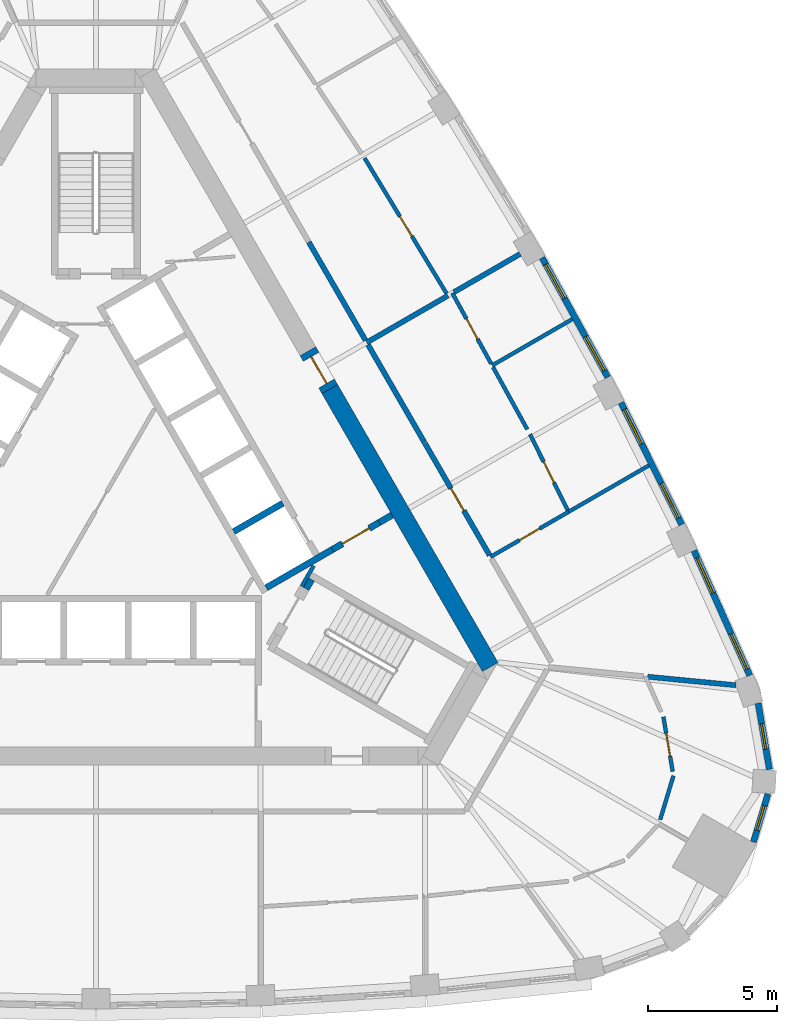
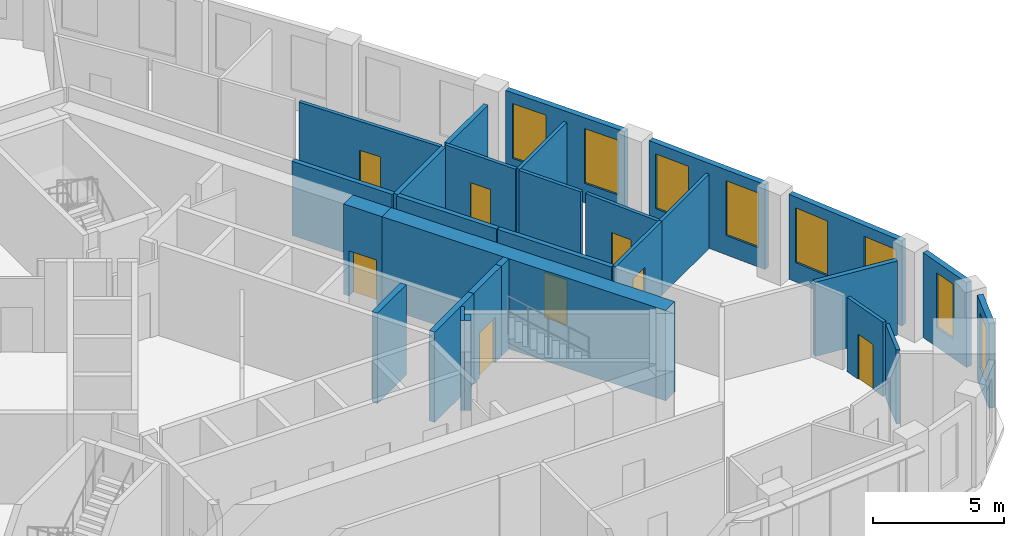
# One storey, part 7 of 10: 28 walls, 8 doors, 8 windows, 16 openings.
"""IFC4 building model written with IfcOpenShell, lengths in metres."""

from ifc_helpers import new_model, si_unit, direction, frame, frame_2d, origin, place, context, subcontext, project, spatial, rectangle, extrude, material, layer, layer_set, type_object, element, fill, save


model = new_model("IFC4")

# Units and contexts
model_context = context("Model", 3, precision=1e-05, world=origin(), true_north=direction((0.0, 1.0)))
body_context = subcontext(model_context, "Body", "Model", "MODEL_VIEW")
ifc_project = project(units=[si_unit("LENGTHUNIT", "METRE"), si_unit("AREAUNIT", "SQUARE_METRE"), si_unit("VOLUMEUNIT", "CUBIC_METRE"), si_unit("PLANEANGLEUNIT", "RADIAN"), si_unit("MASSUNIT", "GRAM", prefix="KILO")], contexts=[model_context])

# Site, building, storey
site_placement = place(None, origin())
site = spatial("IfcSite", under=ifc_project, at=site_placement, CompositionType="ELEMENT")
building_placement = place(site_placement, origin())
building = spatial("IfcBuilding", under=site, at=building_placement, Name="Mestral Congress Tower", CompositionType="ELEMENT")
storey_placement = place(building_placement, frame((0.0, 0.0, 231.0)))
storey = spatial("IfcBuildingStorey", under=building, at=storey_placement, Name="L54", CompositionType="ELEMENT", Elevation=231.0)

# Wall
ifc_material_1 = material(Name="Concrete C60/75", Category="concrete")
ifc_layer_1 = layer(ifc_material_1, 0.699951171875)
ifc_layer_set_1 = layer_set([ifc_layer_1], Name="Concrete C60/75")
wall_type_1 = type_object("IfcWallType", Name="Core wall RC 700", PredefinedType="SOLIDWALL", material=ifc_layer_set_1)
wall_1_placement = place(storey_placement, frame((9.085205078125, 4.263916015625, 0.0), z_axis=(0.0, 0.0, 1.0), x_axis=(0.499998082512, -0.866026510844, 0.0)))
element("IfcWall", 1, at=wall_1_placement, inside=storey, type_object=wall_type_1, Name="L54 core wall", PredefinedType="SOLIDWALL", context=body_context, shape_type="SweptSolid", body=[
    extrude(rectangle(XDim=12.47216796875, YDim=0.699951171875, at=frame_2d((6.236083984375, 0.0))), origin(), (0.0, 0.0, 1.0), 4.199951171875),
])

# Wall, opening, door
wall_2_placement = place(storey_placement, frame((8.2353515625, 5.736083984375, 0.0), z_axis=(0.0, 0.0, 1.0), x_axis=(0.499954529098, -0.86605165483, 0.0)))
wall_2 = element("IfcWall", 2, at=wall_2_placement, inside=storey, type_object=wall_type_1, Name="L54 door wall", PredefinedType="SOLIDWALL", context=body_context, shape_type="SweptSolid", body=[
    extrude(rectangle(XDim=1.699951171875, YDim=0.699951171875, at=frame_2d((0.85009765625, 0.0))), origin(), (0.0, 0.0, 1.0), 4.199951171875),
])
opening_1_placement = place(wall_2_placement, frame((0.25, 0.0, 0.0)))
opening_1 = element("IfcOpeningElement", 3, at=opening_1_placement, cuts=wall_2, Name="Opening XDL", PredefinedType="OPENING", context=body_context, shape_type="SweptSolid", body=[
    extrude(rectangle(XDim=1.199951171875, YDim=2.10009765625, at=frame_2d((0.60009765625, 1.050048828125))), frame((0.0, 0.35986328125, 0.0), z_axis=(0.0, -1.0, 0.0), x_axis=(1.0, 0.0, 0.0)), (0.0, 0.0, 1.0), 0.719970703125),
])
ifc_material_2 = material(Name="Fire-rated steel door set", Category="steel")
door_type_1 = type_object("IfcDoorType", Name="Core door XD 1200x2100", OperationType="SINGLE_SWING_LEFT", PredefinedType="DOOR", material=ifc_material_2)
door_1_placement = place(opening_1_placement, origin())
door_1 = element("IfcDoor", 4, at=door_1_placement, inside=storey, type_object=door_type_1, Name="Door XDL", OperationType="SINGLE_SWING_LEFT", OverallHeight=2.10009765625, OverallWidth=1.199951171875, PredefinedType="DOOR", context=body_context, shape_type="SweptSolid", body=[
    extrude(rectangle(XDim=1.199951171875, YDim=2.10009765625, at=frame_2d((0.60009765625, 1.050048828125))), frame((0.0, 0.02490234375, 0.0), z_axis=(0.0, -1.0, 0.0), x_axis=(1.0, 0.0, 0.0)), (0.0, 0.0, 1.0), 0.050048828125),
])
fill(opening_1, door_1)

# Wall, opening, window
ifc_material_3 = material(Name="Precast concrete C40/50 with limestone facing", Category="masonry")
ifc_layer_2 = layer(ifc_material_3, 0.239990234375)
ifc_layer_set_2 = layer_set([ifc_layer_2], Name="Precast concrete C40/50 with limestone facing")
wall_type_2 = type_object("IfcWallType", Name="Facade stone wall 240", PredefinedType="SOLIDWALL", material=ifc_layer_set_2)
wall_3_placement = place(storey_placement, frame((25.5498046875, -13.334716796875, 0.0), z_axis=(0.0, 0.0, 1.0), x_axis=(0.288727209095, 0.957411405159, 0.0)))
wall_3 = element("IfcWall", 5, at=wall_3_placement, inside=storey, type_object=wall_type_2, Name="Facade wall K0-2", PredefinedType="SOLIDWALL", context=body_context, shape_type="SweptSolid", body=[
    extrude(rectangle(XDim=1.9482421875, YDim=0.239990234375, at=frame_2d((0.97412109375, 0.0))), origin(), (0.0, 0.0, 1.0), 3.949951171875),
])
opening_2_placement = place(wall_3_placement, frame((0.47412109375, 0.0, 0.89990234375)))
opening_2 = element("IfcOpeningElement", 6, at=opening_2_placement, cuts=wall_3, Name="Opening W5", PredefinedType="OPENING", context=body_context, shape_type="SweptSolid", body=[
    extrude(rectangle(XDim=1.0, YDim=2.550048828125, at=frame_2d((0.5, 1.27490234375))), frame((0.0, 0.1298828125, 0.0), z_axis=(0.0, -1.0, 0.0), x_axis=(1.0, 0.0, 0.0)), (0.0, 0.0, 1.0), 0.260009765625),
])
ifc_material_4 = material(Name="Clear low-emissivity double glazing", Category="glass")
window_type_1 = type_object("IfcWindowType", Name="Facade punched window 1000 x 2550 sill 900", PartitioningType="SINGLE_PANEL", PredefinedType="WINDOW", material=ifc_material_4)
window_1_placement = place(opening_2_placement, origin())
window_1 = element("IfcWindow", 7, at=window_1_placement, inside=storey, type_object=window_type_1, Name="Window K0-2", OverallHeight=2.550048828125, OverallWidth=1.0, PartitioningType="SINGLE_PANEL", PredefinedType="WINDOW", context=body_context, shape_type="SweptSolid", body=[
    extrude(rectangle(XDim=1.0, YDim=2.550048828125, at=frame_2d((0.5, 1.27490234375))), frame((0.0, 0.0400390625, 0.0), z_axis=(0.0, -1.0, 0.0), x_axis=(1.0, 0.0, 0.0)), (0.0, 0.0, 1.0), 0.06005859375),
])
fill(opening_2, window_1)

wall_4_placement = place(storey_placement, frame((26.171630859375, -10.517333984375, 0.0), z_axis=(0.0, 0.0, 1.0), x_axis=(-0.167660055546, 0.985844869021, 0.0)))
wall_4 = element("IfcWall", 8, at=wall_4_placement, inside=storey, type_object=wall_type_2, Name="Facade wall K0-3", PredefinedType="SOLIDWALL", context=body_context, shape_type="SweptSolid", body=[
    extrude(rectangle(XDim=2.609375, YDim=0.239990234375, at=frame_2d((1.3046875, 0.0))), origin(), (0.0, 0.0, 1.0), 3.949951171875),
])
opening_3_placement = place(wall_4_placement, frame((0.8046875, 0.0, 0.89990234375)))
opening_3 = element("IfcOpeningElement", 9, at=opening_3_placement, cuts=wall_4, Name="Opening W5", PredefinedType="OPENING", context=body_context, shape_type="SweptSolid", body=[
    extrude(rectangle(XDim=1.0, YDim=2.550048828125, at=frame_2d((0.5, 1.27490234375))), frame((0.0, 0.1298828125, 0.0), z_axis=(0.0, -1.0, 0.0), x_axis=(1.0, 0.0, 0.0)), (0.0, 0.0, 1.0), 0.260009765625),
])
window_2_placement = place(opening_3_placement, origin())
window_2 = element("IfcWindow", 10, at=window_2_placement, inside=storey, type_object=window_type_1, Name="Window K0-3", OverallHeight=2.550048828125, OverallWidth=1.0, PartitioningType="SINGLE_PANEL", PredefinedType="WINDOW", context=body_context, shape_type="SweptSolid", body=[
    extrude(rectangle(XDim=1.0, YDim=2.550048828125, at=frame_2d((0.5, 1.27490234375))), frame((0.0, 0.0400390625, 0.0), z_axis=(0.0, -1.0, 0.0), x_axis=(1.0, 0.0, 0.0)), (0.0, 0.0, 1.0), 0.06005859375),
])
fill(opening_3, window_2)

# Wall, openings, windows
wall_5_placement = place(storey_placement, frame((25.405029296875, -6.86083984375, 0.0), z_axis=(0.0, 0.0, 1.0), x_axis=(-0.407579651789, 0.913169659728, 0.0)))
wall_5 = element("IfcWall", 11, at=wall_5_placement, inside=storey, type_object=wall_type_2, Name="Facade wall F1-00", PredefinedType="SOLIDWALL", context=body_context, shape_type="SweptSolid", body=[
    extrude(rectangle(XDim=5.310791015625, YDim=0.239990234375, at=frame_2d((2.6552734375, 0.0))), origin(), (0.0, 0.0, 1.0), 3.949951171875),
])
opening_4_placement = place(wall_5_placement, frame((0.271484375, 0.0, 0.89990234375)))
opening_4 = element("IfcOpeningElement", 12, at=opening_4_placement, cuts=wall_5, Name="Opening W4", PredefinedType="OPENING", context=body_context, shape_type="SweptSolid", body=[
    extrude(rectangle(XDim=1.5, YDim=2.550048828125, at=frame_2d((0.75, 1.27490234375))), frame((0.0, 0.1298828125, 0.0), z_axis=(0.0, -1.0, 0.0), x_axis=(1.0, 0.0, 0.0)), (0.0, 0.0, 1.0), 0.260009765625),
])
opening_5_placement = place(wall_5_placement, frame((3.50439453125, 0.0, 0.89990234375)))
opening_5 = element("IfcOpeningElement", 13, at=opening_5_placement, cuts=wall_5, Name="Opening W4", PredefinedType="OPENING", context=body_context, shape_type="SweptSolid", body=[
    extrude(rectangle(XDim=1.5, YDim=2.550048828125, at=frame_2d((0.75, 1.27490234375))), frame((0.0, 0.1298828125, 0.0), z_axis=(0.0, -1.0, 0.0), x_axis=(1.0, 0.0, 0.0)), (0.0, 0.0, 1.0), 0.260009765625),
])
window_type_2 = type_object("IfcWindowType", Name="Facade punched window 1500 x 2550 sill 900", PartitioningType="SINGLE_PANEL", PredefinedType="WINDOW", material=ifc_material_4)
window_3_placement = place(opening_4_placement, origin())
window_3 = element("IfcWindow", 14, at=window_3_placement, inside=storey, type_object=window_type_2, Name="Window F1-00a", OverallHeight=2.550048828125, OverallWidth=1.5, PartitioningType="SINGLE_PANEL", PredefinedType="WINDOW", context=body_context, shape_type="SweptSolid", body=[
    extrude(rectangle(XDim=1.5, YDim=2.550048828125, at=frame_2d((0.75, 1.27490234375))), frame((0.0, 0.0400390625, 0.0), z_axis=(0.0, -1.0, 0.0), x_axis=(1.0, 0.0, 0.0)), (0.0, 0.0, 1.0), 0.06005859375),
])
fill(opening_4, window_3)
window_4_placement = place(opening_5_placement, origin())
window_4 = element("IfcWindow", 15, at=window_4_placement, inside=storey, type_object=window_type_2, Name="Window F1-00b", OverallHeight=2.550048828125, OverallWidth=1.5, PartitioningType="SINGLE_PANEL", PredefinedType="WINDOW", context=body_context, shape_type="SweptSolid", body=[
    extrude(rectangle(XDim=1.5, YDim=2.550048828125, at=frame_2d((0.75, 1.27490234375))), frame((0.0, 0.0400390625, 0.0), z_axis=(0.0, -1.0, 0.0), x_axis=(1.0, 0.0, 0.0)), (0.0, 0.0, 1.0), 0.06005859375),
])
fill(opening_5, window_4)

wall_6_placement = place(storey_placement, frame((22.765869140625, -1.0048828125, 0.0), z_axis=(0.0, 0.0, 1.0), x_axis=(-0.445129582031, 0.895466166419, 0.0)))
wall_6 = element("IfcWall", 16, at=wall_6_placement, inside=storey, type_object=wall_type_2, Name="Facade wall F1-01", PredefinedType="SOLIDWALL", context=body_context, shape_type="SweptSolid", body=[
    extrude(rectangle(XDim=5.29833984375, YDim=0.239990234375, at=frame_2d((2.649169921875, 0.0))), origin(), (0.0, 0.0, 1.0), 3.949951171875),
])
opening_6_placement = place(wall_6_placement, frame((0.294677734375, 0.0, 0.89990234375)))
opening_6 = element("IfcOpeningElement", 17, at=opening_6_placement, cuts=wall_6, Name="Opening W4", PredefinedType="OPENING", context=body_context, shape_type="SweptSolid", body=[
    extrude(rectangle(XDim=1.5, YDim=2.550048828125, at=frame_2d((0.75, 1.27490234375))), frame((0.0, 0.1298828125, 0.0), z_axis=(0.0, -1.0, 0.0), x_axis=(1.0, 0.0, 0.0)), (0.0, 0.0, 1.0), 0.260009765625),
])
opening_7_placement = place(wall_6_placement, frame((3.503662109375, 0.0, 0.89990234375)))
opening_7 = element("IfcOpeningElement", 18, at=opening_7_placement, cuts=wall_6, Name="Opening W4", PredefinedType="OPENING", context=body_context, shape_type="SweptSolid", body=[
    extrude(rectangle(XDim=1.5, YDim=2.550048828125, at=frame_2d((0.75, 1.27490234375))), frame((0.0, 0.1298828125, 0.0), z_axis=(0.0, -1.0, 0.0), x_axis=(1.0, 0.0, 0.0)), (0.0, 0.0, 1.0), 0.260009765625),
])
window_5_placement = place(opening_6_placement, origin())
window_5 = element("IfcWindow", 19, at=window_5_placement, inside=storey, type_object=window_type_2, Name="Window F1-01a", OverallHeight=2.550048828125, OverallWidth=1.5, PartitioningType="SINGLE_PANEL", PredefinedType="WINDOW", context=body_context, shape_type="SweptSolid", body=[
    extrude(rectangle(XDim=1.5, YDim=2.550048828125, at=frame_2d((0.75, 1.27490234375))), frame((0.0, 0.0400390625, 0.0), z_axis=(0.0, -1.0, 0.0), x_axis=(1.0, 0.0, 0.0)), (0.0, 0.0, 1.0), 0.06005859375),
])
fill(opening_6, window_5)
window_6_placement = place(opening_7_placement, origin())
window_6 = element("IfcWindow", 20, at=window_6_placement, inside=storey, type_object=window_type_2, Name="Window F1-01b", OverallHeight=2.550048828125, OverallWidth=1.5, PartitioningType="SINGLE_PANEL", PredefinedType="WINDOW", context=body_context, shape_type="SweptSolid", body=[
    extrude(rectangle(XDim=1.5, YDim=2.550048828125, at=frame_2d((0.75, 1.27490234375))), frame((0.0, 0.0400390625, 0.0), z_axis=(0.0, -1.0, 0.0), x_axis=(1.0, 0.0, 0.0)), (0.0, 0.0, 1.0), 0.06005859375),
])
fill(opening_7, window_6)

wall_7_placement = place(storey_placement, frame((19.8916015625, 4.725341796875, 0.0), z_axis=(0.0, 0.0, 1.0), x_axis=(-0.481925825015, 0.876212017256, 0.0)))
wall_7 = element("IfcWall", 21, at=wall_7_placement, inside=storey, type_object=wall_type_2, Name="Facade wall F1-02", PredefinedType="SOLIDWALL", context=body_context, shape_type="SweptSolid", body=[
    extrude(rectangle(XDim=5.298583984375, YDim=0.239990234375, at=frame_2d((2.6494140625, 0.0))), origin(), (0.0, 0.0, 1.0), 3.949951171875),
])
opening_8_placement = place(wall_7_placement, frame((0.294677734375, 0.0, 0.89990234375)))
opening_8 = element("IfcOpeningElement", 22, at=opening_8_placement, cuts=wall_7, Name="Opening W4", PredefinedType="OPENING", context=body_context, shape_type="SweptSolid", body=[
    extrude(rectangle(XDim=1.5, YDim=2.550048828125, at=frame_2d((0.75, 1.27490234375))), frame((0.0, 0.1298828125, 0.0), z_axis=(0.0, -1.0, 0.0), x_axis=(1.0, 0.0, 0.0)), (0.0, 0.0, 1.0), 0.260009765625),
])
opening_9_placement = place(wall_7_placement, frame((3.503662109375, 0.0, 0.89990234375)))
opening_9 = element("IfcOpeningElement", 23, at=opening_9_placement, cuts=wall_7, Name="Opening W4", PredefinedType="OPENING", context=body_context, shape_type="SweptSolid", body=[
    extrude(rectangle(XDim=1.5, YDim=2.550048828125, at=frame_2d((0.75, 1.27490234375))), frame((0.0, 0.1298828125, 0.0), z_axis=(0.0, -1.0, 0.0), x_axis=(1.0, 0.0, 0.0)), (0.0, 0.0, 1.0), 0.260009765625),
])
window_7_placement = place(opening_8_placement, origin())
window_7 = element("IfcWindow", 24, at=window_7_placement, inside=storey, type_object=window_type_2, Name="Window F1-02a", OverallHeight=2.550048828125, OverallWidth=1.5, PartitioningType="SINGLE_PANEL", PredefinedType="WINDOW", context=body_context, shape_type="SweptSolid", body=[
    extrude(rectangle(XDim=1.5, YDim=2.550048828125, at=frame_2d((0.75, 1.27490234375))), frame((0.0, 0.0400390625, 0.0), z_axis=(0.0, -1.0, 0.0), x_axis=(1.0, 0.0, 0.0)), (0.0, 0.0, 1.0), 0.06005859375),
])
fill(opening_8, window_7)
window_8_placement = place(opening_9_placement, origin())
window_8 = element("IfcWindow", 25, at=window_8_placement, inside=storey, type_object=window_type_2, Name="Window F1-02b", OverallHeight=2.550048828125, OverallWidth=1.5, PartitioningType="SINGLE_PANEL", PredefinedType="WINDOW", context=body_context, shape_type="SweptSolid", body=[
    extrude(rectangle(XDim=1.5, YDim=2.550048828125, at=frame_2d((0.75, 1.27490234375))), frame((0.0, 0.0400390625, 0.0), z_axis=(0.0, -1.0, 0.0), x_axis=(1.0, 0.0, 0.0)), (0.0, 0.0, 1.0), 0.06005859375),
])
fill(opening_9, window_8)

# Wall
ifc_material_5 = material(Name="Plasterboard partition on steel studs", Category="steel")
ifc_layer_3 = layer(ifc_material_5, 0.14990234375)
ifc_layer_set_3 = layer_set([ifc_layer_3], Name="Plasterboard partition on steel studs")
wall_type_3 = type_object("IfcWallType", Name="Office partition 150", PredefinedType="PARTITIONING", material=ifc_layer_set_3)
wall_8_placement = place(storey_placement, frame((21.92529296875, -12.468994140625, 0.0), z_axis=(0.0, 0.0, 1.0), x_axis=(0.288767705809, 0.957399191603, 0.0)))
element("IfcWall", 26, at=wall_8_placement, inside=storey, type_object=wall_type_3, Name="Partition", PredefinedType="PARTITIONING", context=body_context, shape_type="SweptSolid", body=[
    extrude(rectangle(XDim=1.7822265625, YDim=0.14990234375, at=frame_2d((0.89111328125, 0.0))), origin(), (0.0, 0.0, 1.0), 3.449951171875),
])

# Wall, opening, door
wall_9_placement = place(storey_placement, frame((22.05029296875, -8.471435546875, 0.0), z_axis=(0.0, 0.0, 1.0), x_axis=(0.167612004459, -0.985853039738, 0.0)))
wall_9 = element("IfcWall", 27, at=wall_9_placement, inside=storey, type_object=wall_type_3, Name="Partition", PredefinedType="PARTITIONING", context=body_context, shape_type="SweptSolid", body=[
    extrude(rectangle(XDim=2.15576171875, YDim=0.14990234375, at=frame_2d((1.077880859375, 0.0))), origin(), (0.0, 0.0, 1.0), 3.449951171875),
])
opening_10_placement = place(wall_9_placement, frame((0.655517578125, 0.0, 0.0)))
opening_10 = element("IfcOpeningElement", 28, at=opening_10_placement, cuts=wall_9, Name="Opening O08-010", PredefinedType="OPENING", context=body_context, shape_type="SweptSolid", body=[
    extrude(rectangle(XDim=0.89990234375, YDim=2.10009765625, at=frame_2d((0.449951171875, 1.050048828125))), frame((0.0, 0.0849609375, 0.0), z_axis=(0.0, -1.0, 0.0), x_axis=(1.0, 0.0, 0.0)), (0.0, 0.0, 1.0), 0.169921875),
])
ifc_material_6 = material(Name="Timber door set", Category="wood")
door_type_2 = type_object("IfcDoorType", Name="Office door 900x2100", OperationType="SINGLE_SWING_LEFT", PredefinedType="DOOR", material=ifc_material_6)
door_2_placement = place(opening_10_placement, origin())
door_2 = element("IfcDoor", 29, at=door_2_placement, inside=storey, type_object=door_type_2, Name="Door O08-010", OperationType="SINGLE_SWING_RIGHT", OverallHeight=2.10009765625, OverallWidth=0.89990234375, PredefinedType="DOOR", context=body_context, shape_type="SweptSolid", body=[
    extrude(rectangle(XDim=0.89990234375, YDim=2.10009765625, at=frame_2d((0.449951171875, 1.050048828125))), frame((0.0, 0.02490234375, 0.0), z_axis=(0.0, -1.0, 0.0), x_axis=(1.0, 0.0, 0.0)), (0.0, 0.0, 1.0), 0.050048828125),
])
fill(opening_10, door_2)

# Wall
wall_10_placement = place(storey_placement, frame((18.360107421875, -0.5078125, 0.0), z_axis=(0.0, 0.0, 1.0), x_axis=(0.866033589339, 0.499985821935, 0.0)))
element("IfcWall", 30, at=wall_10_placement, inside=storey, type_object=wall_type_3, Name="Partition", PredefinedType="PARTITIONING", context=body_context, shape_type="SweptSolid", body=[
    extrude(rectangle(XDim=3.61083984375, YDim=0.14990234375, at=frame_2d((1.805419921875, 0.0))), origin(), (0.0, 0.0, 1.0), 3.449951171875),
])

# Wall, opening, door
wall_11_placement = place(storey_placement, frame((18.366943359375, -0.50390625, 0.0), z_axis=(0.0, 0.0, 1.0), x_axis=(-0.866056812483, -0.499945594592, 0.0)))
wall_11 = element("IfcWall", 31, at=wall_11_placement, inside=storey, type_object=wall_type_3, Name="Partition", PredefinedType="PARTITIONING", context=body_context, shape_type="SweptSolid", body=[
    extrude(rectangle(XDim=3.50439453125, YDim=0.14990234375, at=frame_2d((1.752197265625, 0.0))), origin(), (0.0, 0.0, 1.0), 3.449951171875),
])
opening_11_placement = place(wall_11_placement, frame((1.30419921875, 0.0, 0.0)))
opening_11 = element("IfcOpeningElement", 32, at=opening_11_placement, cuts=wall_11, Name="Opening O08-012", PredefinedType="OPENING", context=body_context, shape_type="SweptSolid", body=[
    extrude(rectangle(XDim=0.89990234375, YDim=2.10009765625, at=frame_2d((0.449951171875, 1.050048828125))), frame((0.0, 0.0849609375, 0.0), z_axis=(0.0, -1.0, 0.0), x_axis=(1.0, 0.0, 0.0)), (0.0, 0.0, 1.0), 0.169921875),
])
door_3_placement = place(opening_11_placement, origin())
door_3 = element("IfcDoor", 33, at=door_3_placement, inside=storey, type_object=door_type_2, Name="Door O08-012", OperationType="SINGLE_SWING_RIGHT", OverallHeight=2.10009765625, OverallWidth=0.89990234375, PredefinedType="DOOR", context=body_context, shape_type="SweptSolid", body=[
    extrude(rectangle(XDim=0.89990234375, YDim=2.10009765625, at=frame_2d((0.449951171875, 1.050048828125))), frame((0.0, 0.02490234375, 0.0), z_axis=(0.0, -1.0, 0.0), x_axis=(1.0, 0.0, 0.0)), (0.0, 0.0, 1.0), 0.050048828125),
])
fill(opening_11, door_3)

# Wall
wall_12_placement = place(storey_placement, frame((15.394287109375, 5.18310546875, 0.0), z_axis=(0.0, 0.0, 1.0), x_axis=(0.866039935929, 0.499974828743, 0.0)))
element("IfcWall", 34, at=wall_12_placement, inside=storey, type_object=wall_type_3, Name="Partition", PredefinedType="PARTITIONING", context=body_context, shape_type="SweptSolid", body=[
    extrude(rectangle(XDim=3.600830078125, YDim=0.14990234375, at=frame_2d((1.80029296875, 0.0))), origin(), (0.0, 0.0, 1.0), 3.449951171875),
])

# Wall, opening, door
wall_13_placement = place(storey_placement, frame((16.86279296875, 2.5126953125, 0.0), z_axis=(0.0, 0.0, 1.0), x_axis=(0.445197589821, -0.895432357031, 0.0)))
wall_13 = element("IfcWall", 35, at=wall_13_placement, inside=storey, type_object=wall_type_3, Name="Partition", PredefinedType="PARTITIONING", context=body_context, shape_type="SweptSolid", body=[
    extrude(rectangle(XDim=3.2958984375, YDim=0.14990234375, at=frame_2d((1.64794921875, 0.0))), origin(), (0.0, 0.0, 1.0), 3.449951171875),
])
opening_12_placement = place(wall_13_placement, frame((1.19580078125, 0.0, 0.0)))
opening_12 = element("IfcOpeningElement", 36, at=opening_12_placement, cuts=wall_13, Name="Opening O08-013", PredefinedType="OPENING", context=body_context, shape_type="SweptSolid", body=[
    extrude(rectangle(XDim=0.89990234375, YDim=2.10009765625, at=frame_2d((0.449951171875, 1.050048828125))), frame((0.0, 0.0849609375, 0.0), z_axis=(0.0, -1.0, 0.0), x_axis=(1.0, 0.0, 0.0)), (0.0, 0.0, 1.0), 0.169921875),
])
door_4_placement = place(opening_12_placement, origin())
door_4 = element("IfcDoor", 37, at=door_4_placement, inside=storey, type_object=door_type_2, Name="Door O08-013", OperationType="SINGLE_SWING_LEFT", OverallHeight=2.10009765625, OverallWidth=0.89990234375, PredefinedType="DOOR", context=body_context, shape_type="SweptSolid", body=[
    extrude(rectangle(XDim=0.89990234375, YDim=2.10009765625, at=frame_2d((0.449951171875, 1.050048828125))), frame((0.0, 0.02490234375, 0.0), z_axis=(0.0, -1.0, 0.0), x_axis=(1.0, 0.0, 0.0)), (0.0, 0.0, 1.0), 0.050048828125),
])
fill(opening_12, door_4)

# Wall
wall_14_placement = place(storey_placement, frame((16.759521484375, 2.700439453125, 0.0), z_axis=(0.0, 0.0, 1.0), x_axis=(-0.481888167687, 0.876232728128, 0.0)))
element("IfcWall", 38, at=wall_14_placement, inside=storey, type_object=wall_type_3, Name="Partition", PredefinedType="PARTITIONING", context=body_context, shape_type="SweptSolid", body=[
    extrude(rectangle(XDim=2.758056640625, YDim=0.14990234375, at=frame_2d((1.37890625, 0.0))), origin(), (0.0, 0.0, 1.0), 3.449951171875),
])

# Wall, opening, door
wall_15_placement = place(storey_placement, frame((13.84765625, 7.994873046875, 0.0), z_axis=(0.0, 0.0, 1.0), x_axis=(0.481894826099, -0.876229066272, 0.0)))
wall_15 = element("IfcWall", 39, at=wall_15_placement, inside=storey, type_object=wall_type_3, Name="Partition", PredefinedType="PARTITIONING", context=body_context, shape_type="SweptSolid", body=[
    extrude(rectangle(XDim=3.134033203125, YDim=0.14990234375, at=frame_2d((1.56689453125, 0.0))), origin(), (0.0, 0.0, 1.0), 3.449951171875),
])
opening_13_placement = place(wall_15_placement, frame((1.134033203125, 0.0, 0.0)))
opening_13 = element("IfcOpeningElement", 40, at=opening_13_placement, cuts=wall_15, Name="Opening O08-014", PredefinedType="OPENING", context=body_context, shape_type="SweptSolid", body=[
    extrude(rectangle(XDim=0.89990234375, YDim=2.10009765625, at=frame_2d((0.449951171875, 1.050048828125))), frame((0.0, 0.0849609375, 0.0), z_axis=(0.0, -1.0, 0.0), x_axis=(1.0, 0.0, 0.0)), (0.0, 0.0, 1.0), 0.169921875),
])
door_5_placement = place(opening_13_placement, origin())
door_5 = element("IfcDoor", 41, at=door_5_placement, inside=storey, type_object=door_type_2, Name="Door O08-014", OperationType="SINGLE_SWING_RIGHT", OverallHeight=2.10009765625, OverallWidth=0.89990234375, PredefinedType="DOOR", context=body_context, shape_type="SweptSolid", body=[
    extrude(rectangle(XDim=0.89990234375, YDim=2.10009765625, at=frame_2d((0.449951171875, 1.050048828125))), frame((0.0, 0.02490234375, 0.0), z_axis=(0.0, -1.0, 0.0), x_axis=(1.0, 0.0, 0.0)), (0.0, 0.0, 1.0), 0.050048828125),
])
fill(opening_13, door_5)

wall_16_placement = place(storey_placement, frame((10.438720703125, 13.240234375, 0.0), z_axis=(0.0, 0.0, 1.0), x_axis=(0.517837859082, -0.855478785068, 0.0)))
wall_16 = element("IfcWall", 42, at=wall_16_placement, inside=storey, type_object=wall_type_3, Name="Partition", PredefinedType="PARTITIONING", context=body_context, shape_type="SweptSolid", body=[
    extrude(rectangle(XDim=6.1484375, YDim=0.14990234375, at=frame_2d((3.07421875, 0.0))), origin(), (0.0, 0.0, 1.0), 3.449951171875),
])
opening_14_placement = place(wall_16_placement, frame((2.6484375, 0.0, 0.0)))
opening_14 = element("IfcOpeningElement", 43, at=opening_14_placement, cuts=wall_16, Name="Opening O08-016", PredefinedType="OPENING", context=body_context, shape_type="SweptSolid", body=[
    extrude(rectangle(XDim=0.89990234375, YDim=2.10009765625, at=frame_2d((0.449951171875, 1.050048828125))), frame((0.0, 0.0849609375, 0.0), z_axis=(0.0, -1.0, 0.0), x_axis=(1.0, 0.0, 0.0)), (0.0, 0.0, 1.0), 0.169921875),
])
door_6_placement = place(opening_14_placement, origin())
door_6 = element("IfcDoor", 44, at=door_6_placement, inside=storey, type_object=door_type_2, Name="Door O08-016", OperationType="SINGLE_SWING_RIGHT", OverallHeight=2.10009765625, OverallWidth=0.89990234375, PredefinedType="DOOR", context=body_context, shape_type="SweptSolid", body=[
    extrude(rectangle(XDim=0.89990234375, YDim=2.10009765625, at=frame_2d((0.449951171875, 1.050048828125))), frame((0.0, 0.02490234375, 0.0), z_axis=(0.0, -1.0, 0.0), x_axis=(1.0, 0.0, 0.0)), (0.0, 0.0, 1.0), 0.050048828125),
])
fill(opening_14, door_6)

# Walls
ifc_material_7 = material(Name="Dense masonry wall, plastered", Category="masonry")
ifc_layer_4 = layer(ifc_material_7, 0.199951171875)
ifc_layer_set_4 = layer_set([ifc_layer_4], Name="Dense masonry wall, plastered")
wall_type_4 = type_object("IfcWallType", Name="Office tenancy wall 200", PredefinedType="PARTITIONING", material=ifc_layer_set_4)
wall_17_placement = place(storey_placement, frame((21.4365234375, -6.91259765625, 0.0), z_axis=(0.0, 0.0, 1.0), x_axis=(0.995357015301, -0.096251816042, 0.0)))
element("IfcWall", 45, at=wall_17_placement, inside=storey, type_object=wall_type_4, Name="Tenancy wall", PredefinedType="PARTITIONING", context=body_context, shape_type="SweptSolid", body=[
    extrude(rectangle(XDim=3.44970703125, YDim=0.199951171875, at=frame_2d((1.724853515625, 0.0))), origin(), (0.0, 0.0, 1.0), 3.449951171875),
])
wall_18_placement = place(storey_placement, frame((13.91259765625, 8.032470703125, 0.0), z_axis=(0.0, 0.0, 1.0), x_axis=(0.866015594979, 0.500016988964, 0.0)))
element("IfcWall", 46, at=wall_18_placement, inside=storey, type_object=wall_type_4, Name="Tenancy wall", PredefinedType="PARTITIONING", context=body_context, shape_type="SweptSolid", body=[
    extrude(rectangle(XDim=2.9658203125, YDim=0.199951171875, at=frame_2d((1.48291015625, 0.0))), origin(), (0.0, 0.0, 1.0), 3.449951171875),
])
wall_19_placement = place(storey_placement, frame((10.522216796875, 6.074951171875, 0.0), z_axis=(0.0, 0.0, 1.0), x_axis=(0.866003708037, 0.500037576254, 0.0)))
element("IfcWall", 47, at=wall_19_placement, inside=storey, type_object=wall_type_4, Name="Tenancy wall", PredefinedType="PARTITIONING", context=body_context, shape_type="SweptSolid", body=[
    extrude(rectangle(XDim=3.643798828125, YDim=0.199951171875, at=frame_2d((1.82177734375, 0.0))), origin(), (0.0, 0.0, 1.0), 3.449951171875),
])
wall_20_placement = place(storey_placement, frame((12.772216796875, 2.177978515625, 0.0), z_axis=(0.0, 0.0, 1.0), x_axis=(-0.50001224981, 0.866018331238, 0.0)))
element("IfcWall", 48, at=wall_20_placement, inside=storey, type_object=wall_type_4, Name="Tenancy wall", PredefinedType="PARTITIONING", context=body_context, shape_type="SweptSolid", body=[
    extrude(rectangle(XDim=4.39990234375, YDim=0.199951171875, at=frame_2d((2.199951171875, 0.0))), origin(), (0.0, 0.0, 1.0), 3.449951171875),
])

# Wall, opening, door
wall_21_placement = place(storey_placement, frame((15.294677734375, -2.19091796875, 0.0), z_axis=(0.0, 0.0, 1.0), x_axis=(-0.500039923732, 0.86600235258, 0.0)))
wall_21 = element("IfcWall", 49, at=wall_21_placement, inside=storey, type_object=wall_type_4, Name="Tenancy wall", PredefinedType="PARTITIONING", context=body_context, shape_type="SweptSolid", body=[
    extrude(rectangle(XDim=5.0146484375, YDim=0.199951171875, at=frame_2d((2.50732421875, 0.0))), origin(), (0.0, 0.0, 1.0), 3.449951171875),
])
opening_15_placement = place(wall_21_placement, frame((2.0, 0.0, 0.0)))
opening_15 = element("IfcOpeningElement", 50, at=opening_15_placement, cuts=wall_21, Name="Opening O08-015", PredefinedType="OPENING", context=body_context, shape_type="SweptSolid", body=[
    extrude(rectangle(XDim=1.0, YDim=2.10009765625, at=frame_2d((0.5, 1.050048828125))), frame((0.0, 0.10986328125, 0.0), z_axis=(0.0, -1.0, 0.0), x_axis=(1.0, 0.0, 0.0)), (0.0, 0.0, 1.0), 0.219970703125),
])
ifc_material_8 = material(Name="Fire-rated timber door set", Category="wood")
door_type_3 = type_object("IfcDoorType", Name="Office tenancy entrance door 1000x2100", OperationType="SINGLE_SWING_LEFT", PredefinedType="DOOR", material=ifc_material_8)
door_7_placement = place(opening_15_placement, origin())
door_7 = element("IfcDoor", 51, at=door_7_placement, inside=storey, type_object=door_type_3, Name="Door O08-015", OperationType="SINGLE_SWING_LEFT", OverallHeight=2.10009765625, OverallWidth=1.0, PredefinedType="DOOR", context=body_context, shape_type="SweptSolid", body=[
    extrude(rectangle(XDim=1.0, YDim=2.10009765625, at=frame_2d((0.5, 1.050048828125))), frame((0.0, 0.02490234375, 0.0), z_axis=(0.0, -1.0, 0.0), x_axis=(1.0, 0.0, 0.0)), (0.0, 0.0, 1.0), 0.050048828125),
])
fill(opening_15, door_7)

# Walls
wall_22_placement = place(storey_placement, frame((10.47216796875, 6.16162109375, 0.0), z_axis=(0.0, 0.0, 1.0), x_axis=(-0.499988222896, 0.866032203192, 0.0)))
element("IfcWall", 52, at=wall_22_placement, inside=storey, type_object=wall_type_4, Name="Tenancy wall", PredefinedType="PARTITIONING", context=body_context, shape_type="SweptSolid", body=[
    extrude(rectangle(XDim=4.39990234375, YDim=0.199951171875, at=frame_2d((2.199951171875, 0.0))), origin(), (0.0, 0.0, 1.0), 3.449951171875),
])
ifc_layer_5 = layer(ifc_material_1, 0.25)
ifc_layer_set_5 = layer_set([ifc_layer_5], Name="Concrete C60/75")
wall_type_5 = type_object("IfcWallType", Name="Shaft wall RC 250", PredefinedType="SOLIDWALL", material=ifc_layer_set_5)
wall_23_placement = place(storey_placement, frame((11.507080078125, -0.631103515625, 0.0), z_axis=(0.0, 0.0, 1.0), x_axis=(-0.866093731455, -0.499881634324, 0.0)))
element("IfcWall", 53, at=wall_23_placement, inside=storey, type_object=wall_type_5, Name="L54 core wall", PredefinedType="SOLIDWALL", context=body_context, shape_type="SweptSolid", body=[
    extrude(rectangle(XDim=0.575439453125, YDim=0.25, at=frame_2d((0.28759765625, 0.0))), origin(), (0.0, 0.0, 1.0), 4.199951171875),
])
wall_24_placement = place(storey_placement, frame((5.35400390625, -1.273681640625, 0.0), z_axis=(0.0, 0.0, 1.0), x_axis=(0.866008176907, 0.50002983664, 0.0)))
element("IfcWall", 54, at=wall_24_placement, inside=storey, type_object=wall_type_5, Name="L54 core wall", PredefinedType="SOLIDWALL", context=body_context, shape_type="SweptSolid", body=[
    extrude(rectangle(XDim=2.199951171875, YDim=0.25, at=frame_2d((1.10009765625, 0.0))), origin(), (0.0, 0.0, 1.0), 4.199951171875),
])
wall_25_placement = place(storey_placement, frame((6.614013671875, -3.4560546875, 0.0), z_axis=(0.0, 0.0, 1.0), x_axis=(0.866032512851, 0.499987686533, 0.0)))
element("IfcWall", 55, at=wall_25_placement, inside=storey, type_object=wall_type_5, Name="L54 core wall", PredefinedType="SOLIDWALL", context=body_context, shape_type="SweptSolid", body=[
    extrude(rectangle(XDim=2.974609375, YDim=0.25, at=frame_2d((1.4873046875, 0.0))), origin(), (0.0, 0.0, 1.0), 4.199951171875),
])

# Wall, opening, door
wall_26_placement = place(storey_placement, frame((11.0087890625, -0.918701171875, 0.0), z_axis=(0.0, 0.0, 1.0), x_axis=(-0.866059744384, -0.49994051562, 0.0)))
wall_26 = element("IfcWall", 56, at=wall_26_placement, inside=storey, type_object=wall_type_5, Name="L54 door wall", PredefinedType="SOLIDWALL", context=body_context, shape_type="SweptSolid", body=[
    extrude(rectangle(XDim=2.099853515625, YDim=0.25, at=frame_2d((1.0498046875, 0.0))), origin(), (0.0, 0.0, 1.0), 4.199951171875),
])
opening_16_placement = place(wall_26_placement, frame((0.449951171875, 0.0, 0.0)))
opening_16 = element("IfcOpeningElement", 57, at=opening_16_placement, cuts=wall_26, Name="Opening LB1-PX10", PredefinedType="OPENING", context=body_context, shape_type="SweptSolid", body=[
    extrude(rectangle(XDim=1.199951171875, YDim=2.10009765625, at=frame_2d((0.60009765625, 1.050048828125))), frame((0.0, 0.135009765625, 0.0), z_axis=(0.0, -1.0, 0.0), x_axis=(1.0, 0.0, 0.0)), (0.0, 0.0, 1.0), 0.27001953125),
])
door_type_4 = type_object("IfcDoorType", Name="Core door LB 1200x2100", OperationType="SINGLE_SWING_LEFT", PredefinedType="DOOR", material=ifc_material_2)
door_8_placement = place(opening_16_placement, origin())
door_8 = element("IfcDoor", 58, at=door_8_placement, inside=storey, type_object=door_type_4, Name="Door LB1-PX10", OperationType="SINGLE_SWING_LEFT", OverallHeight=2.10009765625, OverallWidth=1.199951171875, PredefinedType="DOOR", context=body_context, shape_type="SweptSolid", body=[
    extrude(rectangle(XDim=1.199951171875, YDim=2.10009765625, at=frame_2d((0.60009765625, 1.050048828125))), frame((0.0, 0.02490234375, 0.0), z_axis=(0.0, -1.0, 0.0), x_axis=(1.0, 0.0, 0.0)), (0.0, 0.0, 1.0), 0.050048828125),
])
fill(opening_16, door_8)

# Walls
ifc_layer_6 = layer(ifc_material_1, 0.14990234375)
ifc_layer_set_6 = layer_set([ifc_layer_6], Name="Concrete C60/75")
wall_type_6 = type_object("IfcWallType", Name="Shaft wall RC 250 door-wall 150", PredefinedType="SOLIDWALL", material=ifc_layer_set_6)
wall_27_placement = place(storey_placement, frame((8.459228515625, -2.59912109375, 0.0), z_axis=(0.0, 0.0, 1.0), x_axis=(-0.500041054325, -0.866001699761, 0.0)))
element("IfcWall", 59, at=wall_27_placement, inside=storey, type_object=wall_type_6, Name="L54 core wall", PredefinedType="PARTITIONING", context=body_context, shape_type="SweptSolid", body=[
    extrude(rectangle(XDim=0.9287109375, YDim=0.14990234375, at=frame_2d((0.46435546875, 0.0))), origin(), (0.0, 0.0, 1.0), 4.199951171875),
])
ifc_layer_7 = layer(ifc_material_1, 0.25)
ifc_layer_set_7 = layer_set([ifc_layer_7], Name="Concrete C60/75")
wall_type_7 = type_object("IfcWallType", Name="Stair wall RC 250", PredefinedType="SOLIDWALL", material=ifc_layer_set_7)
wall_28_placement = place(storey_placement, frame((8.167724609375, -3.503173828125, 0.0), z_axis=(0.0, 0.0, 1.0), x_axis=(0.49972245349, 0.866185586049, 0.0)))
element("IfcWall", 60, at=wall_28_placement, inside=storey, type_object=wall_type_7, Name="L54 core wall", PredefinedType="SOLIDWALL", context=body_context, shape_type="SweptSolid", body=[
    extrude(rectangle(XDim=0.425048828125, YDim=0.25, at=frame_2d((0.21240234375, 0.0))), origin(), (0.0, 0.0, 1.0), 4.199951171875),
])

save(model, "model.ifc")
